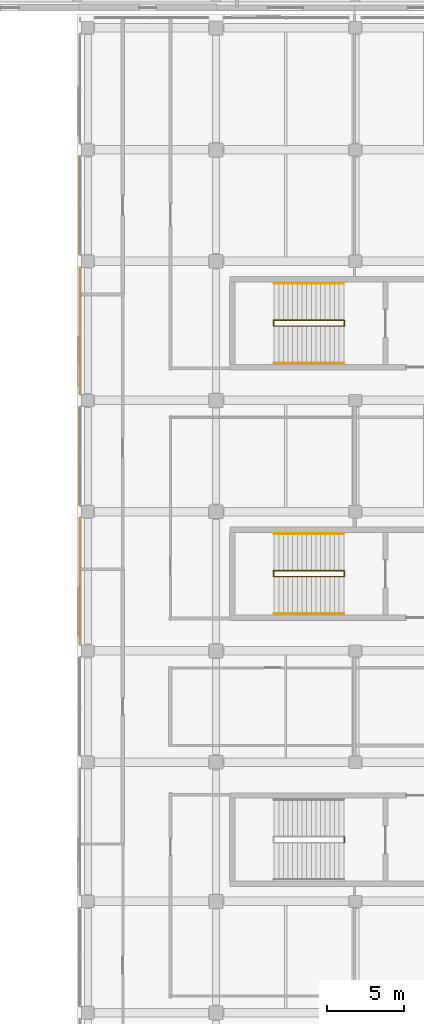
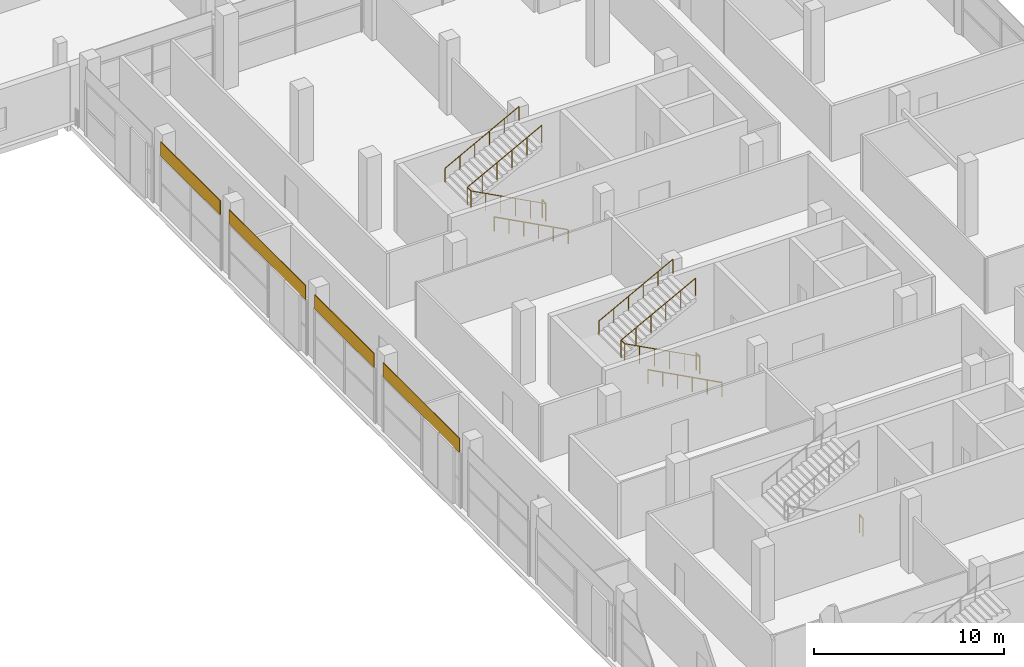
# One storey, part 104 of 111: 9 railings, 4 coverings.
"""IFC4 building model written with IfcOpenShell, lengths in metres."""

from ifc_helpers import new_model, si_unit, direction, frame, origin, origin_2d, place, context, subcontext, project, spatial, rectangle, circle, extrude, material, layer, layer_set, type_object, element, save


model = new_model("IFC4")

# Units and contexts
model_context = context("Model", 3, precision=1e-05, world=origin(), true_north=direction((0.0, 1.0)))
body_context = subcontext(model_context, "Body", "Model", "MODEL_VIEW")
ifc_project = project(units=[si_unit("LENGTHUNIT", "METRE"), si_unit("AREAUNIT", "SQUARE_METRE"), si_unit("VOLUMEUNIT", "CUBIC_METRE"), si_unit("PLANEANGLEUNIT", "RADIAN"), si_unit("MASSUNIT", "GRAM", prefix="KILO"), si_unit("THERMODYNAMICTEMPERATUREUNIT", "KELVIN"), si_unit("POWERUNIT", "WATT")], contexts=[model_context])

# Site, building, storey
site_placement = place(None, origin())
site = spatial("IfcSite", under=ifc_project, at=site_placement, CompositionType="ELEMENT")
building_placement = place(site_placement, origin())
building = spatial("IfcBuilding", under=site, at=building_placement, Name="Sindhuravela Promenade Stadium", CompositionType="ELEMENT")
storey_placement = place(building_placement, frame((0.0, 0.0, 9.60009765625)))
storey = spatial("IfcBuildingStorey", under=building, at=storey_placement, Name="L02", CompositionType="ELEMENT", Elevation=9.60009765625)

# Coverings
ifc_material_1 = material(Name="Polychrome trencadis ceramic mosaic", Category="masonry")
ifc_layer_1 = layer(ifc_material_1, 0.034912109375)
ifc_layer_set_1 = layer_set([ifc_layer_1], Name="Polychrome trencadis ceramic mosaic")
covering_type_1 = type_object("IfcCoveringType", Name="CV-TRENC-1", PredefinedType="CLADDING", material=ifc_layer_set_1)
for number, where, z_axis, x_axis, name in (
    (1, (171.179931640625, 89.10009765625, 3.5546875), (0.0, 0.0, 1.0), (0.0, 1.0, 0.0), "Trencadis ceramic mosaic spandrel frieze EAST L02-176"),
    (2, (171.179931640625, 105.300048828125, 3.5546875), (0.0, 0.0, 1.0), (0.0, 1.0, 0.0), "Trencadis ceramic mosaic spandrel frieze EAST L02-178"),
):
    element("IfcCovering", number, at=place(storey_placement, frame(where, z_axis=z_axis, x_axis=x_axis)), inside=storey, type_object=covering_type_1, Name=name, PredefinedType="CLADDING", context=body_context, shape_type="SweptSolid", body=[
        extrude(rectangle(XDim=8.070068359375, YDim=0.034912109375, at=origin_2d()), origin(), (0.0, 0.0, 1.0), 0.905029296875),
    ])
ifc_layer_2 = layer(ifc_material_1, 0.050048828125)
ifc_layer_set_2 = layer_set([ifc_layer_2], Name="Polychrome trencadis ceramic mosaic")
covering_type_2 = type_object("IfcCoveringType", Name="CV-TRENC-2", PredefinedType="CLADDING", material=ifc_layer_set_2)
for number, where, z_axis, x_axis, name in (
    (3, (171.179931640625, 97.199951171875, 3.5546875), (0.0, 0.0, 1.0), (0.0, 1.0, 0.0), "Trencadis ceramic mosaic spandrel frieze EAST L02-177"),
    (4, (171.179931640625, 113.39990234375, 3.5546875), (0.0, 0.0, 1.0), (0.0, 1.0, 0.0), "Trencadis ceramic mosaic spandrel frieze EAST L02-179"),
):
    element("IfcCovering", number, at=place(storey_placement, frame(where, z_axis=z_axis, x_axis=x_axis)), inside=storey, type_object=covering_type_2, Name=name, PredefinedType="CLADDING", context=body_context, shape_type="SweptSolid", body=[
        extrude(rectangle(XDim=6.27001953125, YDim=0.050048828125, at=origin_2d()), origin(), (0.0, 0.0, 1.0), 0.905029296875),
    ])

# Railings
ifc_material_2 = material(Name="Architectural wrought steel E350", Category="steel")
railing_type_1 = type_object("IfcRailingType", Name="RL-GRD-1150", PredefinedType="GUARDRAIL", material=ifc_material_2)
railing_1_placement = place(storey_placement, frame((188.280029296875, 72.2099609375, 0.0)))
element("IfcRailing", 5, at=railing_1_placement, inside=storey, type_object=railing_type_1, Name="Stair ST06 landing well slot guard (L02)", PredefinedType="GUARDRAIL", context=body_context, shape_type="SweptSolid", body=[
    extrude(circle(Radius=0.02392578125, at=origin_2d()), frame((0.0, 0.0, 1.1259765625), z_axis=(0.0, 1.0, 0.0), x_axis=(-1.0, 0.0, 0.0)), (0.0, 0.0, 1.0), 0.380126953125),
    extrude(circle(Radius=0.02099609375, at=origin_2d()), origin(), (0.0, 0.0, 1.0), 1.101806640625),
    extrude(circle(Radius=0.02099609375, at=origin_2d()), frame((0.0, 0.380126953125, 0.0)), (0.0, 0.0, 1.0), 1.101806640625),
])
railing_2_placement = place(storey_placement, frame((188.25, 89.409912109375, 0.0)))
element("IfcRailing", 6, at=railing_2_placement, inside=storey, type_object=railing_type_1, Name="Stair ST07 inner well guard (L02)", PredefinedType="GUARDRAIL", context=body_context, shape_type="SweptSolid", body=[
    extrude(circle(Radius=0.02392578125, at=origin_2d()), frame((0.0, 0.0, 1.1259765625), z_axis=(-0.8836546633431795, 0.0, 0.46813933390802775), x_axis=(0.0, -1.0, 0.0)), (0.0, 0.0, 1.0), 5.12646484375),
    extrude(circle(Radius=0.02392578125, at=origin_2d()), frame((-4.530029296875, 0.0, 3.52587890625), z_axis=(0.0, 1.0, 0.0), x_axis=(-1.0, 0.0, 0.0)), (0.0, 0.0, 1.0), 0.380126953125),
    extrude(circle(Radius=0.02392578125, at=origin_2d()), frame((-4.530029296875, 0.380126953125, 3.52587890625), z_axis=(0.8836546633431795, 0.0, 0.46813933390802775), x_axis=(0.0, 1.0, 0.0)), (0.0, 0.0, 1.0), 5.12646484375),
    extrude(circle(Radius=0.02099609375, at=origin_2d()), origin(), (0.0, 0.0, 1.0), 1.101806640625),
    extrude(circle(Radius=0.02099609375, at=origin_2d()), frame((-0.906005859375, 0.0, 0.47998046875)), (0.0, 0.0, 1.0), 1.101806640625),
    extrude(circle(Radius=0.02099609375, at=origin_2d()), frame((-1.81201171875, 0.0, 0.9599609375)), (0.0, 0.0, 1.0), 1.101806640625),
    extrude(circle(Radius=0.02099609375, at=origin_2d()), frame((-2.718017578125, 0.0, 1.43994140625)), (0.0, 0.0, 1.0), 1.101806640625),
    extrude(circle(Radius=0.02099609375, at=origin_2d()), frame((-3.6240234375, 0.0, 1.919921875)), (0.0, 0.0, 1.0), 1.101806640625),
    extrude(circle(Radius=0.02099609375, at=origin_2d()), frame((-4.530029296875, 0.0, 2.39990234375)), (0.0, 0.0, 1.0), 1.101806640625),
    extrude(circle(Radius=0.02099609375, at=origin_2d()), frame((-4.530029296875, 0.380126953125, 2.39990234375)), (0.0, 0.0, 1.0), 1.101806640625),
    extrude(circle(Radius=0.02099609375, at=origin_2d()), frame((-3.6240234375, 0.380126953125, 2.8798828125)), (0.0, 0.0, 1.0), 1.101806640625),
    extrude(circle(Radius=0.02099609375, at=origin_2d()), frame((-2.718017578125, 0.380126953125, 3.35986328125)), (0.0, 0.0, 1.0), 1.101806640625),
    extrude(circle(Radius=0.02099609375, at=origin_2d()), frame((-1.81201171875, 0.380126953125, 3.83984375)), (0.0, 0.0, 1.0), 1.101806640625),
    extrude(circle(Radius=0.02099609375, at=origin_2d()), frame((-0.906005859375, 0.380126953125, 4.31982421875)), (0.0, 0.0, 1.0), 1.101806640625),
    extrude(circle(Radius=0.02099609375, at=origin_2d()), frame((0.0, 0.380126953125, 4.7998046875)), (0.0, 0.0, 1.0), 1.101806640625),
])
railing_3_placement = place(storey_placement, frame((188.280029296875, 89.409912109375, 0.0)))
element("IfcRailing", 7, at=railing_3_placement, inside=storey, type_object=railing_type_1, Name="Stair ST07 landing well slot guard (L02)", PredefinedType="GUARDRAIL", context=body_context, shape_type="SweptSolid", body=[
    extrude(circle(Radius=0.02392578125, at=origin_2d()), frame((0.0, 0.0, 1.1259765625), z_axis=(0.0, 1.0, 0.0), x_axis=(-1.0, 0.0, 0.0)), (0.0, 0.0, 1.0), 0.380126953125),
    extrude(circle(Radius=0.02099609375, at=origin_2d()), origin(), (0.0, 0.0, 1.0), 1.101806640625),
    extrude(circle(Radius=0.02099609375, at=origin_2d()), frame((0.0, 0.380126953125, 0.0)), (0.0, 0.0, 1.0), 1.101806640625),
])
railing_4_placement = place(storey_placement, frame((188.25, 105.610107421875, 0.0)))
element("IfcRailing", 8, at=railing_4_placement, inside=storey, type_object=railing_type_1, Name="Stair ST08 inner well guard (L02)", PredefinedType="GUARDRAIL", context=body_context, shape_type="SweptSolid", body=[
    extrude(circle(Radius=0.02392578125, at=origin_2d()), frame((0.0, 0.0, 1.1259765625), z_axis=(-0.8836546633431795, 0.0, 0.46813933390802775), x_axis=(0.0, -1.0, 0.0)), (0.0, 0.0, 1.0), 5.12646484375),
    extrude(circle(Radius=0.02392578125, at=origin_2d()), frame((-4.530029296875, 0.0, 3.52587890625), z_axis=(0.0, 1.0, 0.0), x_axis=(-1.0, 0.0, 0.0)), (0.0, 0.0, 1.0), 0.3798828125),
    extrude(circle(Radius=0.02392578125, at=origin_2d()), frame((-4.530029296875, 0.3798828125, 3.52587890625), z_axis=(0.8836546633431795, 0.0, 0.46813933390802775), x_axis=(0.0, 1.0, 0.0)), (0.0, 0.0, 1.0), 5.12646484375),
    extrude(circle(Radius=0.02099609375, at=origin_2d()), origin(), (0.0, 0.0, 1.0), 1.101806640625),
    extrude(circle(Radius=0.02099609375, at=origin_2d()), frame((-0.906005859375, 0.0, 0.47998046875)), (0.0, 0.0, 1.0), 1.101806640625),
    extrude(circle(Radius=0.02099609375, at=origin_2d()), frame((-1.81201171875, 0.0, 0.9599609375)), (0.0, 0.0, 1.0), 1.101806640625),
    extrude(circle(Radius=0.02099609375, at=origin_2d()), frame((-2.718017578125, 0.0, 1.43994140625)), (0.0, 0.0, 1.0), 1.101806640625),
    extrude(circle(Radius=0.02099609375, at=origin_2d()), frame((-3.6240234375, 0.0, 1.919921875)), (0.0, 0.0, 1.0), 1.101806640625),
    extrude(circle(Radius=0.02099609375, at=origin_2d()), frame((-4.530029296875, 0.0, 2.39990234375)), (0.0, 0.0, 1.0), 1.101806640625),
    extrude(circle(Radius=0.02099609375, at=origin_2d()), frame((-4.530029296875, 0.3798828125, 2.39990234375)), (0.0, 0.0, 1.0), 1.101806640625),
    extrude(circle(Radius=0.02099609375, at=origin_2d()), frame((-3.6240234375, 0.3798828125, 2.8798828125)), (0.0, 0.0, 1.0), 1.101806640625),
    extrude(circle(Radius=0.02099609375, at=origin_2d()), frame((-2.718017578125, 0.3798828125, 3.35986328125)), (0.0, 0.0, 1.0), 1.101806640625),
    extrude(circle(Radius=0.02099609375, at=origin_2d()), frame((-1.81201171875, 0.3798828125, 3.83984375)), (0.0, 0.0, 1.0), 1.101806640625),
    extrude(circle(Radius=0.02099609375, at=origin_2d()), frame((-0.906005859375, 0.3798828125, 4.31982421875)), (0.0, 0.0, 1.0), 1.101806640625),
    extrude(circle(Radius=0.02099609375, at=origin_2d()), frame((0.0, 0.3798828125, 4.7998046875)), (0.0, 0.0, 1.0), 1.101806640625),
])
railing_5_placement = place(storey_placement, frame((188.280029296875, 105.610107421875, 0.0)))
element("IfcRailing", 9, at=railing_5_placement, inside=storey, type_object=railing_type_1, Name="Stair ST08 landing well slot guard (L02)", PredefinedType="GUARDRAIL", context=body_context, shape_type="SweptSolid", body=[
    extrude(circle(Radius=0.02392578125, at=origin_2d()), frame((0.0, 0.0, 1.1259765625), z_axis=(0.0, 1.0, 0.0), x_axis=(-1.0, 0.0, 0.0)), (0.0, 0.0, 1.0), 0.3798828125),
    extrude(circle(Radius=0.02099609375, at=origin_2d()), origin(), (0.0, 0.0, 1.0), 1.101806640625),
    extrude(circle(Radius=0.02099609375, at=origin_2d()), frame((0.0, 0.3798828125, 0.0)), (0.0, 0.0, 1.0), 1.101806640625),
])
railing_type_2 = type_object("IfcRailingType", Name="RL-HND-920", PredefinedType="HANDRAIL", material=ifc_material_2)
railing_6_placement = place(storey_placement, frame((188.25, 87.02001953125, 0.0)))
element("IfcRailing", 10, at=railing_6_placement, inside=storey, type_object=railing_type_2, Name="Stair ST07 lower wall handrail (L02)", PredefinedType="HANDRAIL", context=body_context, shape_type="SweptSolid", body=[
    extrude(circle(Radius=0.02392578125, at=origin_2d()), frame((0.0, 0.0, 0.89599609375), z_axis=(-0.8823608919668723, 0.0, 0.4705733272588083), x_axis=(0.0, -1.0, 0.0)), (0.0, 0.0, 1.0), 5.099853515625),
    extrude(circle(Radius=0.02099609375, at=origin_2d()), origin(), (0.0, 0.0, 1.0), 0.871826171875),
    extrude(circle(Radius=0.02099609375, at=origin_2d()), frame((-0.89990234375, 0.0, 0.47998046875)), (0.0, 0.0, 1.0), 0.871826171875),
    extrude(circle(Radius=0.02099609375, at=origin_2d()), frame((-1.800048828125, 0.0, 0.9599609375)), (0.0, 0.0, 1.0), 0.871826171875),
    extrude(circle(Radius=0.02099609375, at=origin_2d()), frame((-2.699951171875, 0.0, 1.43994140625)), (0.0, 0.0, 1.0), 0.871826171875),
    extrude(circle(Radius=0.02099609375, at=origin_2d()), frame((-3.60009765625, 0.0, 1.919921875)), (0.0, 0.0, 1.0), 0.871826171875),
    extrude(circle(Radius=0.02099609375, at=origin_2d()), frame((-4.5, 0.0, 2.39990234375)), (0.0, 0.0, 1.0), 0.871826171875),
])
railing_7_placement = place(storey_placement, frame((183.75, 92.179931640625, 2.39990234375)))
element("IfcRailing", 11, at=railing_7_placement, inside=storey, type_object=railing_type_2, Name="Stair ST07 upper wall handrail (L02)", PredefinedType="HANDRAIL", context=body_context, shape_type="SweptSolid", body=[
    extrude(circle(Radius=0.02392578125, at=origin_2d()), frame((0.0, 0.0, 0.89599609375), z_axis=(0.8823608919668723, 0.0, 0.4705733272588083), x_axis=(0.0, 1.0, 0.0)), (0.0, 0.0, 1.0), 5.099853515625),
    extrude(circle(Radius=0.02099609375, at=origin_2d()), origin(), (0.0, 0.0, 1.0), 0.871826171875),
    extrude(circle(Radius=0.02099609375, at=origin_2d()), frame((0.89990234375, 0.0, 0.47998046875)), (0.0, 0.0, 1.0), 0.871826171875),
    extrude(circle(Radius=0.02099609375, at=origin_2d()), frame((1.800048828125, 0.0, 0.9599609375)), (0.0, 0.0, 1.0), 0.871826171875),
    extrude(circle(Radius=0.02099609375, at=origin_2d()), frame((2.699951171875, 0.0, 1.43994140625)), (0.0, 0.0, 1.0), 0.871826171875),
    extrude(circle(Radius=0.02099609375, at=origin_2d()), frame((3.60009765625, 0.0, 1.919921875)), (0.0, 0.0, 1.0), 0.871826171875),
    extrude(circle(Radius=0.02099609375, at=origin_2d()), frame((4.5, 0.0, 2.39990234375)), (0.0, 0.0, 1.0), 0.871826171875),
])
railing_8_placement = place(storey_placement, frame((188.25, 103.219970703125, 0.0)))
element("IfcRailing", 12, at=railing_8_placement, inside=storey, type_object=railing_type_2, Name="Stair ST08 lower wall handrail (L02)", PredefinedType="HANDRAIL", context=body_context, shape_type="SweptSolid", body=[
    extrude(circle(Radius=0.02392578125, at=origin_2d()), frame((0.0, 0.0, 0.89599609375), z_axis=(-0.8823608919668723, 0.0, 0.4705733272588083), x_axis=(0.0, -1.0, 0.0)), (0.0, 0.0, 1.0), 5.099853515625),
    extrude(circle(Radius=0.02099609375, at=origin_2d()), origin(), (0.0, 0.0, 1.0), 0.871826171875),
    extrude(circle(Radius=0.02099609375, at=origin_2d()), frame((-0.89990234375, 0.0, 0.47998046875)), (0.0, 0.0, 1.0), 0.871826171875),
    extrude(circle(Radius=0.02099609375, at=origin_2d()), frame((-1.800048828125, 0.0, 0.9599609375)), (0.0, 0.0, 1.0), 0.871826171875),
    extrude(circle(Radius=0.02099609375, at=origin_2d()), frame((-2.699951171875, 0.0, 1.43994140625)), (0.0, 0.0, 1.0), 0.871826171875),
    extrude(circle(Radius=0.02099609375, at=origin_2d()), frame((-3.60009765625, 0.0, 1.919921875)), (0.0, 0.0, 1.0), 0.871826171875),
    extrude(circle(Radius=0.02099609375, at=origin_2d()), frame((-4.5, 0.0, 2.39990234375)), (0.0, 0.0, 1.0), 0.871826171875),
])
railing_9_placement = place(storey_placement, frame((183.75, 108.3798828125, 2.39990234375)))
element("IfcRailing", 13, at=railing_9_placement, inside=storey, type_object=railing_type_2, Name="Stair ST08 upper wall handrail (L02)", PredefinedType="HANDRAIL", context=body_context, shape_type="SweptSolid", body=[
    extrude(circle(Radius=0.02392578125, at=origin_2d()), frame((0.0, 0.0, 0.89599609375), z_axis=(0.8823608919668723, 0.0, 0.4705733272588083), x_axis=(0.0, 1.0, 0.0)), (0.0, 0.0, 1.0), 5.099853515625),
    extrude(circle(Radius=0.02099609375, at=origin_2d()), origin(), (0.0, 0.0, 1.0), 0.871826171875),
    extrude(circle(Radius=0.02099609375, at=origin_2d()), frame((0.89990234375, 0.0, 0.47998046875)), (0.0, 0.0, 1.0), 0.871826171875),
    extrude(circle(Radius=0.02099609375, at=origin_2d()), frame((1.800048828125, 0.0, 0.9599609375)), (0.0, 0.0, 1.0), 0.871826171875),
    extrude(circle(Radius=0.02099609375, at=origin_2d()), frame((2.699951171875, 0.0, 1.43994140625)), (0.0, 0.0, 1.0), 0.871826171875),
    extrude(circle(Radius=0.02099609375, at=origin_2d()), frame((3.60009765625, 0.0, 1.919921875)), (0.0, 0.0, 1.0), 0.871826171875),
    extrude(circle(Radius=0.02099609375, at=origin_2d()), frame((4.5, 0.0, 2.39990234375)), (0.0, 0.0, 1.0), 0.871826171875),
])

save(model, "model.ifc")
